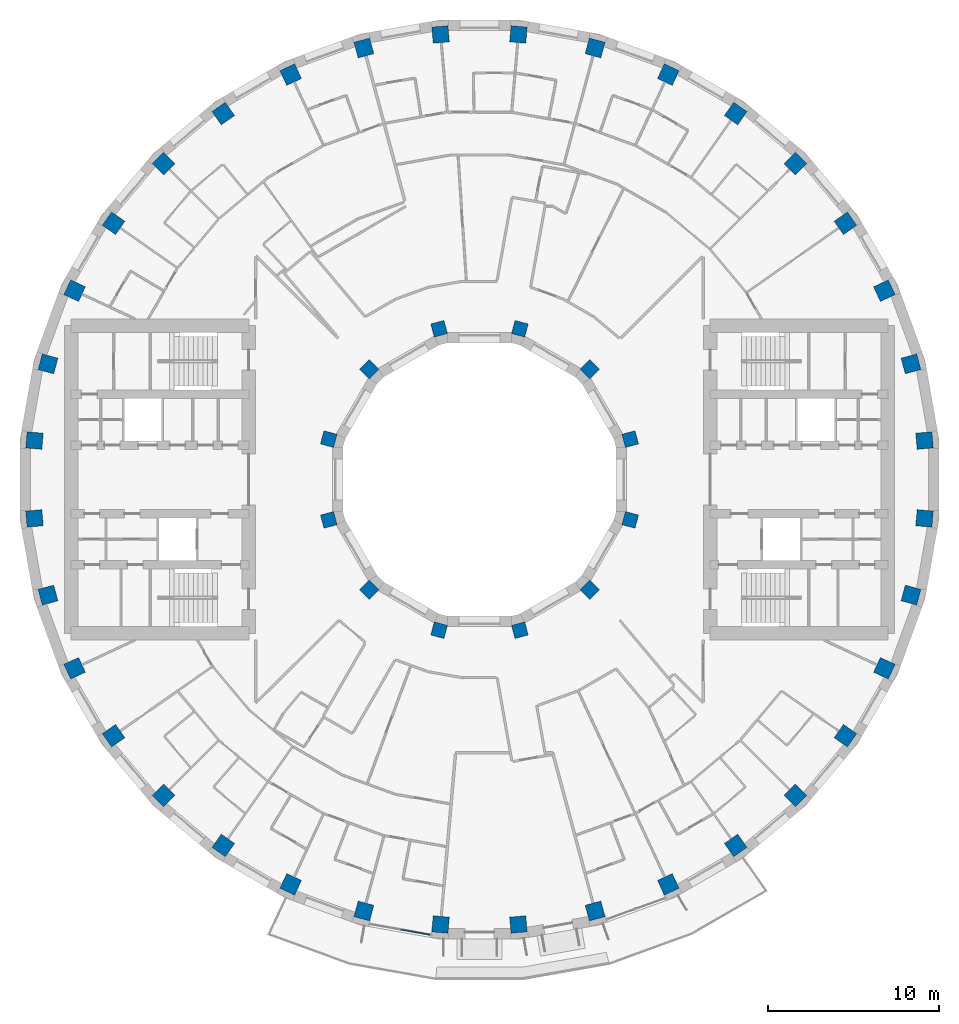
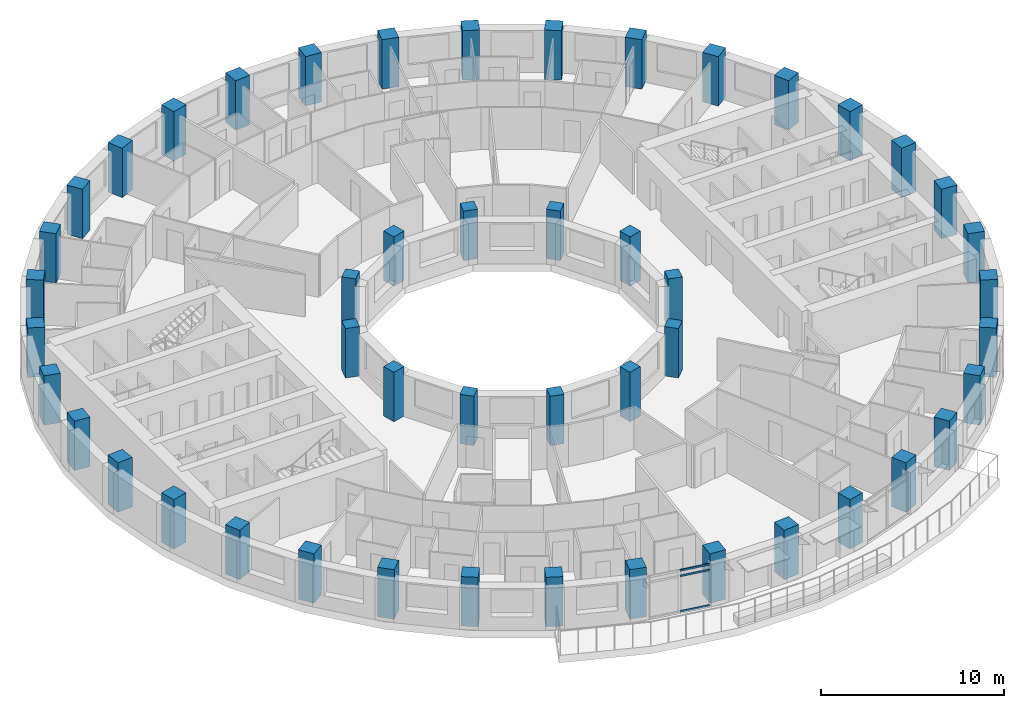
# One storey, part 1 of 16: 48 columns, 3 members, 1 element without a shape of its own.
"""IFC4 building model written with IfcOpenShell, lengths in metres."""

from ifc_helpers import new_model, si_unit, direction, frame, origin, origin_2d, place, context, subcontext, project, spatial, rectangle, extrude, material, layer, layer_set, material_profile, profile_set, type_object, element, aggregate, save


model = new_model("IFC4")

# Units and contexts
model_context = context("Model", 3, precision=1e-05, world=origin(), true_north=direction((0.0, 1.0)))
body_context = subcontext(model_context, "Body", "Model", "MODEL_VIEW")
ifc_project = project(units=[si_unit("LENGTHUNIT", "METRE"), si_unit("AREAUNIT", "SQUARE_METRE"), si_unit("VOLUMEUNIT", "CUBIC_METRE"), si_unit("PLANEANGLEUNIT", "RADIAN"), si_unit("MASSUNIT", "GRAM", prefix="KILO")], contexts=[model_context])

# Site, building, storey
site_placement = place(None, origin())
site = spatial("IfcSite", under=ifc_project, at=site_placement, CompositionType="ELEMENT")
building_placement = place(site_placement, origin())
building = spatial("IfcBuilding", under=site, at=building_placement, Name="Saqina Gate Tower", CompositionType="ELEMENT")
storey_placement = place(building_placement, frame((0.0, 0.0, 144.699951171875)))
storey = spatial("IfcBuildingStorey", under=building, at=storey_placement, Name="L41", CompositionType="ELEMENT", Elevation=144.699951171875)

# Columns
ifc_material_1 = material(Name="Concrete C70/85", Category="concrete")
ifc_material_profile_1 = material_profile(ifc_material_1, rectangle(XDim=0.800048828125, YDim=0.800048828125, at=origin_2d()), Name="RC 800x800")
ifc_profile_set_1 = profile_set([ifc_material_profile_1], Name="Concrete C70/85")
column_type_1 = type_object("IfcColumnType", Name="STR-COL-IN-B", PredefinedType="COLUMN", material=ifc_profile_set_1)
for number, where, z_axis, x_axis, name in (
    (1, (8.821044921875, 2.363525390625, 0.0), (0.0, 0.0, 1.0), (0.965925826289, 0.258819045103, 0.0), "L41-ICL01"),
    (2, (6.45751953125, 6.45751953125, 0.0), (0.0, 0.0, 1.0), (0.707106781187, 0.707106781187, 0.0), "L41-ICL02"),
    (3, (2.363525390625, 8.821044921875, 0.0), (0.0, 0.0, 1.0), (0.258819045103, 0.965925826289, 0.0), "L41-ICL03"),
    (4, (-2.363525390625, 8.821044921875, 0.0), (0.0, 0.0, 1.0), (-0.258819045103, 0.965925826289, 0.0), "L41-ICL04"),
    (5, (-6.45751953125, 6.45751953125, 0.0), (0.0, 0.0, 1.0), (-0.707106781187, 0.707106781187, 0.0), "L41-ICL05"),
    (6, (-8.821044921875, 2.363525390625, 0.0), (0.0, 0.0, 1.0), (-0.965925826289, 0.258819045103, 0.0), "L41-ICL06"),
    (7, (-8.821044921875, -2.363525390625, 0.0), (0.0, 0.0, 1.0), (-0.965925826289, -0.258819045103, 0.0), "L41-ICL07"),
    (8, (-6.45751953125, -6.45751953125, 0.0), (0.0, 0.0, 1.0), (-0.707106781187, -0.707106781187, 0.0), "L41-ICL08"),
    (9, (-2.363525390625, -8.821044921875, 0.0), (0.0, 0.0, 1.0), (-0.258819045103, -0.965925826289, 0.0), "L41-ICL09"),
    (10, (2.363525390625, -8.821044921875, 0.0), (0.0, 0.0, 1.0), (0.258819045103, -0.965925826289, 0.0), "L41-ICL10"),
    (11, (6.45751953125, -6.45751953125, 0.0), (0.0, 0.0, 1.0), (0.707106781187, -0.707106781187, 0.0), "L41-ICL11"),
    (12, (8.821044921875, -2.363525390625, 0.0), (0.0, 0.0, 1.0), (0.965925826289, -0.258819045103, 0.0), "L41-ICL12"),
):
    element("IfcColumn", number, at=place(storey_placement, frame(where, z_axis=z_axis, x_axis=x_axis)), inside=storey, type_object=column_type_1, Name=name, PredefinedType="COLUMN", context=body_context, shape_type="SweptSolid", body=[
        extrude(rectangle(XDim=0.800048828125, YDim=0.800048828125, at=origin_2d()), origin(), (0.0, 0.0, 1.0), 3.300048828125),
    ])
ifc_material_2 = material(Name="Concrete C70/85", Category="concrete")
ifc_material_profile_2 = material_profile(ifc_material_2, rectangle(XDim=0.949951171875, YDim=0.949951171875, at=origin_2d()), Name="RC 950x950")
ifc_profile_set_2 = profile_set([ifc_material_profile_2], Name="Concrete C70/85")
column_type_2 = type_object("IfcColumnType", Name="STR-COL-OUT-B", PredefinedType="COLUMN", material=ifc_profile_set_2)
for number, where, z_axis, x_axis, name in (
    (13, (26.050537109375, 2.279052734375, 0.0), (0.0, 0.0, 1.0), (0.996194698092, 0.087155742748, 0.0), "L41-COL01"),
    (14, (25.259033203125, 6.76806640625, 0.0), (0.0, 0.0, 1.0), (0.965925826289, 0.258819045103, 0.0), "L41-COL02"),
    (15, (23.699951171875, 11.051513671875, 0.0), (0.0, 0.0, 1.0), (0.906307787037, 0.422618261741, 0.0), "L41-COL03"),
    (16, (21.4208984375, 14.9990234375, 0.0), (0.0, 0.0, 1.0), (0.819152044289, 0.573576436351, 0.0), "L41-COL04"),
    (17, (18.49072265625, 18.49072265625, 0.0), (0.0, 0.0, 1.0), (0.707106781187, 0.707106781187, 0.0), "L41-COL05"),
    (18, (14.9990234375, 21.4208984375, 0.0), (0.0, 0.0, 1.0), (0.573576436351, 0.819152044289, 0.0), "L41-COL06"),
    (19, (11.051513671875, 23.699951171875, 0.0), (0.0, 0.0, 1.0), (0.422618261741, 0.906307787037, 0.0), "L41-COL07"),
    (20, (6.76806640625, 25.259033203125, 0.0), (0.0, 0.0, 1.0), (0.258819045103, 0.965925826289, 0.0), "L41-COL08"),
    (21, (2.279052734375, 26.050537109375, 0.0), (0.0, 0.0, 1.0), (0.087155742748, 0.996194698092, 0.0), "L41-COL09"),
    (22, (-2.279052734375, 26.050537109375, 0.0), (0.0, 0.0, 1.0), (-0.087155742748, 0.996194698092, 0.0), "L41-COL10"),
    (23, (-6.76806640625, 25.259033203125, 0.0), (0.0, 0.0, 1.0), (-0.258819045103, 0.965925826289, 0.0), "L41-COL11"),
    (24, (-11.051513671875, 23.699951171875, 0.0), (0.0, 0.0, 1.0), (-0.422618261741, 0.906307787037, 0.0), "L41-COL12"),
    (25, (-14.9990234375, 21.4208984375, 0.0), (0.0, 0.0, 1.0), (-0.573576436351, 0.819152044289, 0.0), "L41-COL13"),
    (26, (-18.49072265625, 18.49072265625, 0.0), (0.0, 0.0, 1.0), (-0.707106781187, 0.707106781187, 0.0), "L41-COL14"),
    (27, (-21.4208984375, 14.9990234375, 0.0), (0.0, 0.0, 1.0), (-0.819152044289, 0.573576436351, 0.0), "L41-COL15"),
    (28, (-23.699951171875, 11.051513671875, 0.0), (0.0, 0.0, 1.0), (-0.906307787037, 0.422618261741, 0.0), "L41-COL16"),
    (29, (-25.259033203125, 6.76806640625, 0.0), (0.0, 0.0, 1.0), (-0.965925826289, 0.258819045103, 0.0), "L41-COL17"),
    (30, (-26.050537109375, 2.279052734375, 0.0), (0.0, 0.0, 1.0), (-0.996194698092, 0.087155742748, 0.0), "L41-COL18"),
    (31, (-26.050537109375, -2.279052734375, 0.0), (0.0, 0.0, 1.0), (-0.996194698092, -0.087155742748, 0.0), "L41-COL19"),
    (32, (-25.259033203125, -6.76806640625, 0.0), (0.0, 0.0, 1.0), (-0.965925826289, -0.258819045103, 0.0), "L41-COL20"),
    (33, (-23.699951171875, -11.051513671875, 0.0), (0.0, 0.0, 1.0), (-0.906307787037, -0.422618261741, 0.0), "L41-COL21"),
    (34, (-21.4208984375, -14.9990234375, 0.0), (0.0, 0.0, 1.0), (-0.819152044289, -0.573576436351, 0.0), "L41-COL22"),
    (35, (-18.49072265625, -18.49072265625, 0.0), (0.0, 0.0, 1.0), (-0.707106781187, -0.707106781187, 0.0), "L41-COL23"),
    (36, (-14.9990234375, -21.4208984375, 0.0), (0.0, 0.0, 1.0), (-0.573576436351, -0.819152044289, 0.0), "L41-COL24"),
    (37, (-11.051513671875, -23.699951171875, 0.0), (0.0, 0.0, 1.0), (-0.422618261741, -0.906307787037, 0.0), "L41-COL25"),
    (38, (-6.76806640625, -25.259033203125, 0.0), (0.0, 0.0, 1.0), (-0.258819045103, -0.965925826289, 0.0), "L41-COL26"),
    (39, (-2.279052734375, -26.050537109375, 0.0), (0.0, 0.0, 1.0), (-0.087155742748, -0.996194698092, 0.0), "L41-COL27"),
    (40, (2.279052734375, -26.050537109375, 0.0), (0.0, 0.0, 1.0), (0.087155742748, -0.996194698092, 0.0), "L41-COL28"),
    (41, (6.76806640625, -25.259033203125, 0.0), (0.0, 0.0, 1.0), (0.258819045103, -0.965925826289, 0.0), "L41-COL29"),
    (42, (11.051513671875, -23.699951171875, 0.0), (0.0, 0.0, 1.0), (0.422618261741, -0.906307787037, 0.0), "L41-COL30"),
    (43, (14.9990234375, -21.4208984375, 0.0), (0.0, 0.0, 1.0), (0.573576436351, -0.819152044289, 0.0), "L41-COL31"),
    (44, (18.49072265625, -18.49072265625, 0.0), (0.0, 0.0, 1.0), (0.707106781187, -0.707106781187, 0.0), "L41-COL32"),
    (45, (21.4208984375, -14.9990234375, 0.0), (0.0, 0.0, 1.0), (0.819152044289, -0.573576436351, 0.0), "L41-COL33"),
    (46, (23.699951171875, -11.051513671875, 0.0), (0.0, 0.0, 1.0), (0.906307787037, -0.422618261741, 0.0), "L41-COL34"),
    (47, (25.259033203125, -6.76806640625, 0.0), (0.0, 0.0, 1.0), (0.965925826289, -0.258819045103, 0.0), "L41-COL35"),
    (48, (26.050537109375, -2.279052734375, 0.0), (0.0, 0.0, 1.0), (0.996194698092, -0.087155742748, 0.0), "L41-COL36"),
):
    element("IfcColumn", number, at=place(storey_placement, frame(where, z_axis=z_axis, x_axis=x_axis)), inside=storey, type_object=column_type_2, Name=name, PredefinedType="COLUMN", context=body_context, shape_type="SweptSolid", body=[
        extrude(rectangle(XDim=0.949951171875, YDim=0.949951171875, at=origin_2d()), origin(), (0.0, 0.0, 1.0), 3.300048828125),
    ])

# Curtain wall, members
ifc_material_3 = material(Name="Aluminium glazing", Category="aluminium")
ifc_layer = layer(ifc_material_3, 0.159912109375)
ifc_layer_set = layer_set([ifc_layer], Name="CWT-4")
curtain_wall_type = type_object("IfcCurtainWallType", Name="CWT-4", PredefinedType="NOTDEFINED", material=ifc_layer_set)
curtain_wall_placement = place(storey_placement, origin())
curtain_wall = element("IfcCurtainWall", 49, at=curtain_wall_placement, inside=storey, type_object=curtain_wall_type, Name="Terrace lounge glazing facet 26", PredefinedType="NOTDEFINED")
ifc_material_4 = material(Name="Aluminium", Category="aluminium")
ifc_material_profile_3 = material_profile(ifc_material_4, rectangle(XDim=0.06005859375, YDim=0.1201171875, at=origin_2d()), Name="Aluminium 60x120")
ifc_profile_set_3 = profile_set([ifc_material_profile_3], Name="Aluminium")
member_type = type_object("IfcMemberType", Name="CWT-4T", PredefinedType="USERDEFINED", material=ifc_profile_set_3)
member_1_placement = place(storey_placement, frame((-4.614990234375, -26.34619140625, 0.030029296875), z_axis=(0.98481331257, -0.173616644895, 0.0), x_axis=(0.173616644895, 0.98481331257, 0.0)))
member_1 = element("IfcMember", 50, at=member_1_placement, type_object=member_type, Name="CW4-26 transom 2.1", ObjectType="TRANSOM", PredefinedType="USERDEFINED", context=body_context, shape_type="SweptSolid", body=[
    extrude(rectangle(XDim=0.06005859375, YDim=0.1201171875, at=origin_2d()), origin(), (0.0, 0.0, 1.0), 1.73388671875),
])
member_2_placement = place(storey_placement, frame((-4.614990234375, -26.34619140625, 2.400146484375), z_axis=(0.98481331257, -0.173616644895, 0.0), x_axis=(0.173616644895, 0.98481331257, 0.0)))
member_2 = element("IfcMember", 51, at=member_2_placement, type_object=member_type, Name="CW4-26 transom 2.2", ObjectType="TRANSOM", PredefinedType="USERDEFINED", context=body_context, shape_type="SweptSolid", body=[
    extrude(rectangle(XDim=0.06005859375, YDim=0.1201171875, at=origin_2d()), origin(), (0.0, 0.0, 1.0), 1.73388671875),
])
member_3_placement = place(storey_placement, frame((-4.614990234375, -26.34619140625, 2.77001953125), z_axis=(0.98481331257, -0.173616644895, 0.0), x_axis=(0.173616644895, 0.98481331257, 0.0)))
member_3 = element("IfcMember", 52, at=member_3_placement, type_object=member_type, Name="CW4-26 transom 2.3", ObjectType="TRANSOM", PredefinedType="USERDEFINED", context=body_context, shape_type="SweptSolid", body=[
    extrude(rectangle(XDim=0.06005859375, YDim=0.1201171875, at=origin_2d()), origin(), (0.0, 0.0, 1.0), 1.73388671875),
])
aggregate(curtain_wall, [member_1, member_2, member_3])

save(model, "model.ifc")
